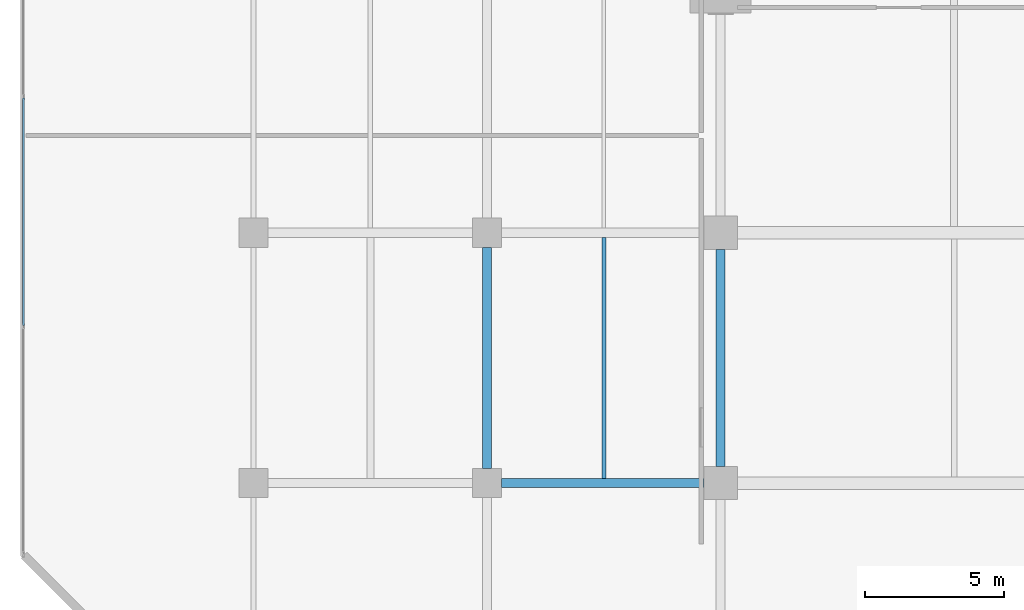
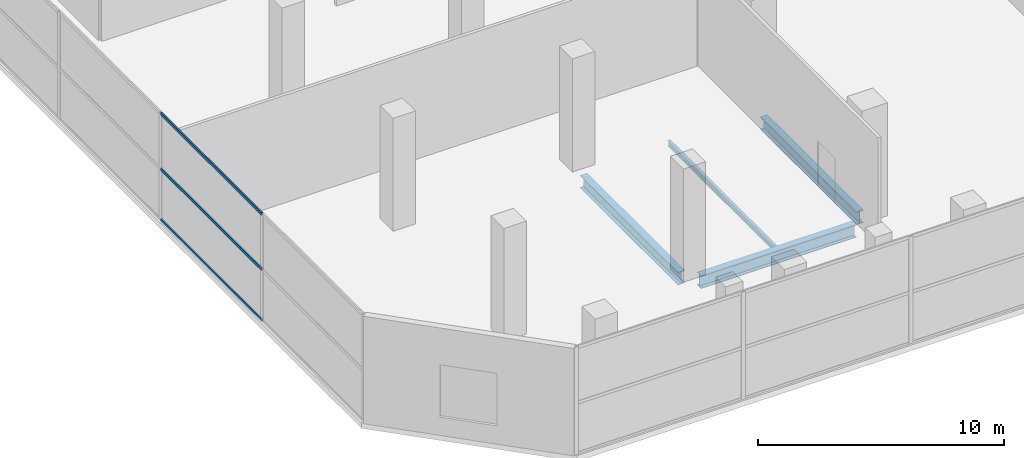
# One storey, part 8 of 40: 4 beams, 3 members, 1 element without a shape of its own.
"""IFC4 building model written with IfcOpenShell, lengths in metres."""

from ifc_helpers import new_model, si_unit, direction, frame, origin, origin_2d, place, context, subcontext, project, spatial, hollow_rectangle, i_section, extrude, material, layer, layer_set, material_profile, profile_set, type_object, element, aggregate, save


model = new_model("IFC4")

# Units and contexts
model_context = context("Model", 3, precision=1e-05, world=origin(), true_north=direction((0.0, 1.0)))
body_context = subcontext(model_context, "Body", "Model", "MODEL_VIEW")
ifc_project = project(units=[si_unit("LENGTHUNIT", "METRE"), si_unit("AREAUNIT", "SQUARE_METRE"), si_unit("VOLUMEUNIT", "CUBIC_METRE"), si_unit("PLANEANGLEUNIT", "RADIAN"), si_unit("MASSUNIT", "GRAM", prefix="KILO")], contexts=[model_context])

# Site, building, storey
site_placement = place(None, origin())
site = spatial("IfcSite", under=ifc_project, at=site_placement, CompositionType="ELEMENT")
building_placement = place(site_placement, origin())
building = spatial("IfcBuilding", under=site, at=building_placement, Name="Maruvema Waterfront Hotel and Observation Tower", CompositionType="ELEMENT")
storey_placement = place(building_placement, frame((0.0, 0.0, 10.85009765625)))
storey = spatial("IfcBuildingStorey", under=building, at=storey_placement, Name="L02", CompositionType="ELEMENT", Elevation=10.85009765625)

# Curtain wall, members
ifc_material_1 = material(Name="Anodised bronze aluminium and solar-control low-E IGU", Category="aluminium")
ifc_layer = layer(ifc_material_1, 0.159912109375, Name="Podium Waterfront Storefront Curtain Wall System CW-01")
ifc_layer_set = layer_set([ifc_layer], Name="Anodised bronze aluminium and solar-control low-E IGU")
curtain_wall_type = type_object("IfcCurtainWallType", Name="Podium Waterfront Storefront Curtain Wall System CW-01", PredefinedType="USERDEFINED", material=ifc_layer_set)
curtain_wall_placement = place(storey_placement, origin())
curtain_wall = element("IfcCurtainWall", 1, at=curtain_wall_placement, inside=storey, type_object=curtain_wall_type, Name="L02 Curtain Wall CW-L02-W", ObjectType="UNITISED CURTAIN WALL", PredefinedType="USERDEFINED")
ifc_material_2 = material(Name="Anodised architectural bronze aluminium", Category="aluminium")
ifc_material_profile_1 = material_profile(ifc_material_2, hollow_rectangle(XDim=0.070068359375, YDim=0.14990234375, WallThickness=0.00390625, at=origin_2d()), Name="ALU-T70x150")
ifc_profile_set_1 = profile_set([ifc_material_profile_1], Name="Anodised architectural bronze aluminium")
member_type = type_object("IfcMemberType", Name="Curtain Wall Horizontal Transom ALU-T70x150", PredefinedType="USERDEFINED", material=ifc_profile_set_1)
member_1_placement = place(storey_placement, frame((0.1201171875, 22.85009765625, 0.02978515625), z_axis=(0.0, -1.0, 0.0), x_axis=(1.0, 0.0, 0.0)))
member_1 = element("IfcMember", 2, at=member_1_placement, type_object=member_type, Name="CW-01 transom 4.1", ObjectType="TRANSOM", PredefinedType="USERDEFINED", context=body_context, shape_type="SweptSolid", body=[
    extrude(hollow_rectangle(XDim=0.070068359375, YDim=0.14990234375, WallThickness=0.00390625, at=origin_2d()), origin(), (0.0, 0.0, 1.0), 8.18017578125),
])
member_2_placement = place(storey_placement, frame((0.1201171875, 22.85009765625, 2.5498046875), z_axis=(0.0, -1.0, 0.0), x_axis=(1.0, 0.0, 0.0)))
member_2 = element("IfcMember", 3, at=member_2_placement, type_object=member_type, Name="CW-01 transom 4.2", ObjectType="TRANSOM", PredefinedType="USERDEFINED", context=body_context, shape_type="SweptSolid", body=[
    extrude(hollow_rectangle(XDim=0.070068359375, YDim=0.14990234375, WallThickness=0.00390625, at=origin_2d()), origin(), (0.0, 0.0, 1.0), 8.18017578125),
])
member_3_placement = place(storey_placement, frame((0.1201171875, 22.85009765625, 5.289794921875), z_axis=(0.0, -1.0, 0.0), x_axis=(1.0, 0.0, 0.0)))
member_3 = element("IfcMember", 4, at=member_3_placement, type_object=member_type, Name="CW-01 transom 4.3", ObjectType="TRANSOM", PredefinedType="USERDEFINED", context=body_context, shape_type="SweptSolid", body=[
    extrude(hollow_rectangle(XDim=0.070068359375, YDim=0.14990234375, WallThickness=0.00390625, at=origin_2d()), origin(), (0.0, 0.0, 1.0), 8.18017578125),
])
aggregate(curtain_wall, [member_1, member_2, member_3])

# Beams
ifc_material_3 = material(Name="Steel ASTM A572 Grade 50", Category="steel")
ifc_material_profile_2 = material_profile(ifc_material_3, i_section(OverallWidth=0.3291015625, OverallDepth=0.635009765625, WebThickness=0.017822265625, FlangeThickness=0.031005859375, FilletRadius=0.01806640625, at=origin_2d()), Name="W610x241.0")
ifc_profile_set_2 = profile_set([ifc_material_profile_2], Name="Steel ASTM A572 Grade 50")
beam_type_1 = type_object("IfcBeamType", Name="Primary Floor Girder W610x241.0", PredefinedType="BEAM", material=ifc_profile_set_2)
beam_1_placement = place(storey_placement, frame((17.324951171875, 9.0, -0.59765625), z_axis=(1.0, 0.0, 0.0), x_axis=(0.0, 1.0, 0.0)))
element("IfcBeam", 5, at=beam_1_placement, inside=storey, type_object=beam_type_1, Name="L02 Floor Girder EW-11", PredefinedType="BEAM", context=body_context, shape_type="SweptSolid", body=[
    extrude(i_section(OverallWidth=0.3291015625, OverallDepth=0.635009765625, WebThickness=0.017822265625, FlangeThickness=0.031005859375, FilletRadius=0.01806640625, at=origin_2d()), origin(), (0.0, 0.0, 1.0), 7.275146484375),
])
beam_2_placement = place(storey_placement, frame((16.800048828125, 9.52490234375, -0.59765625), z_axis=(0.0, 1.0, 0.0), x_axis=(-1.0, 0.0, 0.0)))
element("IfcBeam", 6, at=beam_2_placement, inside=storey, type_object=beam_type_1, Name="L02 Floor Girder NS-08", PredefinedType="BEAM", context=body_context, shape_type="SweptSolid", body=[
    extrude(i_section(OverallWidth=0.3291015625, OverallDepth=0.635009765625, WebThickness=0.017822265625, FlangeThickness=0.031005859375, FilletRadius=0.01806640625, at=origin_2d()), origin(), (0.0, 0.0, 1.0), 7.9501953125),
])
beam_3_placement = place(storey_placement, frame((25.199951171875, 9.60009765625, -0.59765625), z_axis=(0.0, 1.0, 0.0), x_axis=(-1.0, 0.0, 0.0)))
element("IfcBeam", 7, at=beam_3_placement, inside=storey, type_object=beam_type_1, Name="L02 Floor Girder NS-14", PredefinedType="BEAM", context=body_context, shape_type="SweptSolid", body=[
    extrude(i_section(OverallWidth=0.3291015625, OverallDepth=0.635009765625, WebThickness=0.017822265625, FlangeThickness=0.031005859375, FilletRadius=0.01806640625, at=origin_2d()), origin(), (0.0, 0.0, 1.0), 7.7998046875),
])
ifc_material_4 = material(Name="Steel ASTM A572 Grade 50", Category="steel")
ifc_material_profile_3 = material_profile(ifc_material_4, i_section(OverallWidth=0.14599609375, OverallDepth=0.258056640625, WebThickness=0.006103515625, FlangeThickness=0.009033203125, FilletRadius=0.012939453125, at=origin_2d()), Name="W250x32.7")
ifc_profile_set_3 = profile_set([ifc_material_profile_3], Name="Steel ASTM A572 Grade 50")
beam_type_2 = type_object("IfcBeamType", Name="Secondary Floor Joist W250x32.7", PredefinedType="JOIST", material=ifc_profile_set_3)
beam_4_placement = place(storey_placement, frame((21.0, 9.16455078125, -0.4091796875), z_axis=(0.0, 1.0, 0.0), x_axis=(-1.0, 0.0, 0.0)))
element("IfcBeam", 8, at=beam_4_placement, inside=storey, type_object=beam_type_2, Name="L02 Secondary Floor Joist JS-05", PredefinedType="JOIST", context=body_context, shape_type="SweptSolid", body=[
    extrude(i_section(OverallWidth=0.14599609375, OverallDepth=0.258056640625, WebThickness=0.006103515625, FlangeThickness=0.009033203125, FilletRadius=0.012939453125, at=origin_2d()), origin(), (0.0, 0.0, 1.0), 8.6708984375),
])

save(model, "model.ifc")
